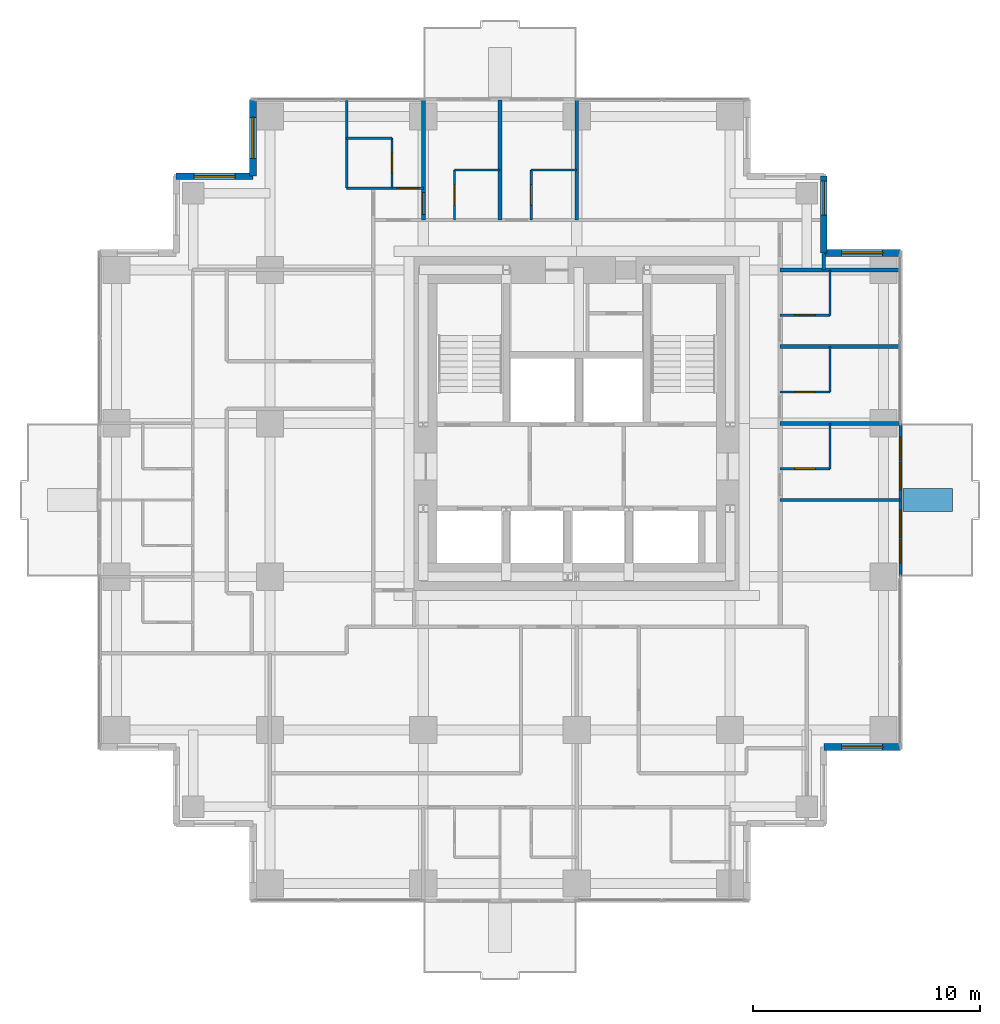
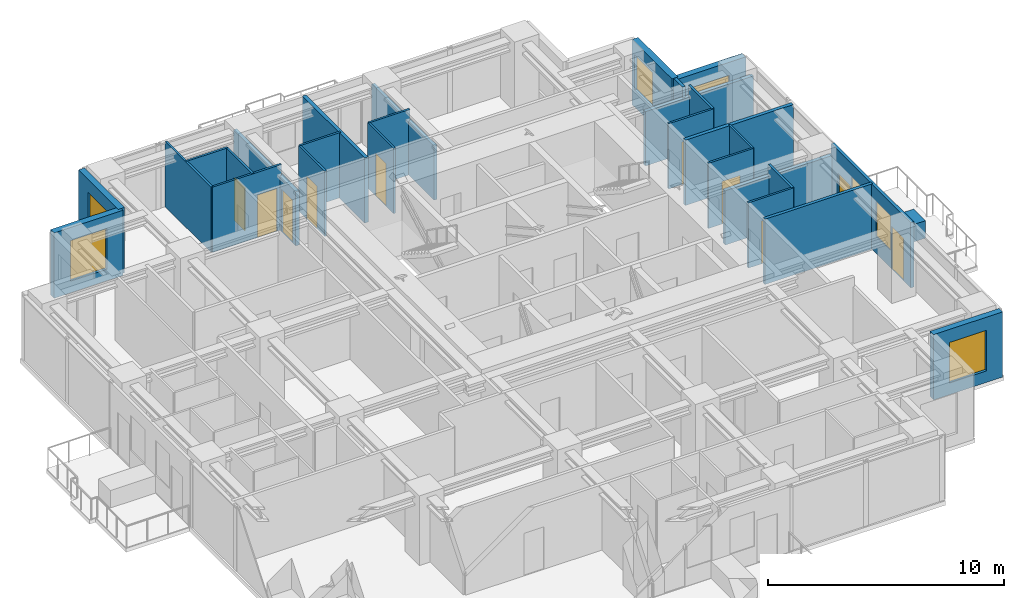
# One storey, part 8 of 10: 29 walls, 10 doors, 7 windows, 17 openings.
"""IFC4 building model written with IfcOpenShell, lengths in metres."""

from ifc_helpers import new_model, si_unit, direction, frame, frame_2d, origin, place, context, subcontext, project, spatial, rectangle, extrude, material, layer, layer_set, type_object, element, fill, save


model = new_model("IFC4")

# Units and contexts
model_context = context("Model", 3, precision=1e-05, world=origin(), true_north=direction((0.0, 1.0)))
body_context = subcontext(model_context, "Body", "Model", "MODEL_VIEW")
ifc_project = project(units=[si_unit("LENGTHUNIT", "METRE"), si_unit("AREAUNIT", "SQUARE_METRE"), si_unit("VOLUMEUNIT", "CUBIC_METRE"), si_unit("PLANEANGLEUNIT", "RADIAN"), si_unit("MASSUNIT", "GRAM", prefix="KILO")], contexts=[model_context])

# Site, building, storey
site_placement = place(None, origin())
site = spatial("IfcSite", under=ifc_project, at=site_placement, CompositionType="ELEMENT")
building_placement = place(site_placement, origin())
building = spatial("IfcBuilding", under=site, at=building_placement, Name="Nyansa Garden Tower", CompositionType="ELEMENT")
storey_placement = place(building_placement, frame((0.0, 0.0, 192.60009765625)))
storey = spatial("IfcBuildingStorey", under=building, at=storey_placement, Name="L52", CompositionType="ELEMENT", Elevation=192.60009765625)

# Wall, opening, door
ifc_material_1 = material(Name="Dense blockwork, plastered both sides, 55 dB", Category="masonry")
ifc_layer_1 = layer(ifc_material_1, 0.175048828125)
ifc_layer_set_1 = layer_set([ifc_layer_1], Name="Acoustic party wall PW175")
wall_type_1 = type_object("IfcWallType", Name="Acoustic party wall PW175", PredefinedType="PARTITIONING", material=ifc_layer_set_1)
wall_1_placement = place(storey_placement, frame((13.5, 29.199951171875, 0.0), z_axis=(0.0, 0.0, 1.0), x_axis=(0.0, 1.0, 0.0)))
wall_1 = element("IfcWall", 1, at=wall_1_placement, inside=storey, type_object=wall_type_1, Name="Party wall", PredefinedType="PARTITIONING", context=body_context, shape_type="SweptSolid", body=[
    extrude(rectangle(XDim=5.283935546875, YDim=0.175048828125, at=frame_2d((2.64208984375, 0.0))), origin(), (0.0, 0.0, 1.0), 2.805908203125),
])
opening_1_placement = place(wall_1_placement, frame((0.25, 0.0, 0.0)))
opening_1 = element("IfcOpeningElement", 2, at=opening_1_placement, cuts=wall_1, Name="Opening D14", PredefinedType="OPENING", context=body_context, shape_type="SweptSolid", body=[
    extrude(rectangle(XDim=0.949951171875, YDim=2.199951171875, at=frame_2d((0.47509765625, 1.10009765625))), frame((0.0, 0.097412109375, 0.0), z_axis=(0.0, -1.0, 0.0), x_axis=(1.0, 0.0, 0.0)), (0.0, 0.0, 1.0), 0.195068359375),
])
ifc_material_2 = material(Name="Timber flush door, 60 minute fire resisting, self-closing", Category="wood")
door_type_1 = type_object("IfcDoorType", Name="Studio entrance door D14 950x2200", OperationType="SINGLE_SWING_LEFT", PredefinedType="DOOR", material=ifc_material_2)
door_1_placement = place(opening_1_placement, origin())
door_1 = element("IfcDoor", 3, at=door_1_placement, inside=storey, type_object=door_type_1, Name="Door L52-040", OperationType="SINGLE_SWING_LEFT", OverallHeight=2.199951171875, OverallWidth=0.949951171875, PredefinedType="DOOR", context=body_context, shape_type="SweptSolid", body=[
    extrude(rectangle(XDim=0.949951171875, YDim=2.199951171875, at=frame_2d((0.47509765625, 1.10009765625))), frame((0.0, 0.02490234375, 0.0), z_axis=(0.0, -1.0, 0.0), x_axis=(1.0, 0.0, 0.0)), (0.0, 0.0, 1.0), 0.050048828125),
])
fill(opening_1, door_1)

# Walls
wall_2_placement = place(storey_placement, frame((16.875, 29.199951171875, 0.0), z_axis=(0.0, 0.0, 1.0), x_axis=(0.0, 1.0, 0.0)))
element("IfcWall", 4, at=wall_2_placement, inside=storey, type_object=wall_type_1, Name="Party wall", PredefinedType="PARTITIONING", context=body_context, shape_type="SweptSolid", body=[
    extrude(rectangle(XDim=5.283935546875, YDim=0.175048828125, at=frame_2d((2.64208984375, 0.0))), origin(), (0.0, 0.0, 1.0), 3.375),
])
wall_3_placement = place(storey_placement, frame((29.199951171875, 20.25, 0.0), z_axis=(0.0, 0.0, 1.0), x_axis=(1.0, 0.0, 0.0)))
element("IfcWall", 5, at=wall_3_placement, inside=storey, type_object=wall_type_1, Name="Party wall", PredefinedType="PARTITIONING", context=body_context, shape_type="SweptSolid", body=[
    extrude(rectangle(XDim=5.283935546875, YDim=0.175048828125, at=frame_2d((2.64208984375, 0.0))), origin(), (0.0, 0.0, 1.0), 2.805908203125),
])
wall_4_placement = place(storey_placement, frame((29.199951171875, 23.625, 0.0), z_axis=(0.0, 0.0, 1.0), x_axis=(1.0, 0.0, 0.0)))
element("IfcWall", 6, at=wall_4_placement, inside=storey, type_object=wall_type_1, Name="Party wall", PredefinedType="PARTITIONING", context=body_context, shape_type="SweptSolid", body=[
    extrude(rectangle(XDim=5.283935546875, YDim=0.175048828125, at=frame_2d((2.64208984375, 0.0))), origin(), (0.0, 0.0, 1.0), 3.375),
])
wall_5_placement = place(storey_placement, frame((29.199951171875, 27.0, 0.0), z_axis=(0.0, 0.0, 1.0), x_axis=(1.0, 0.0, 0.0)))
element("IfcWall", 7, at=wall_5_placement, inside=storey, type_object=wall_type_1, Name="Party wall", PredefinedType="PARTITIONING", context=body_context, shape_type="SweptSolid", body=[
    extrude(rectangle(XDim=5.283935546875, YDim=0.175048828125, at=frame_2d((2.64208984375, 0.0))), origin(), (0.0, 0.0, 1.0), 2.805908203125),
])

# Wall, openings, doors, windows
ifc_material_3 = material(Name="Black aluminium framed glazed screen", Category="aluminium")
ifc_layer_2 = layer(ifc_material_3, 0.14990234375)
ifc_layer_set_2 = layer_set([ifc_layer_2], Name="Balcony screen wall BW150")
wall_type_2 = type_object("IfcWallType", Name="Balcony screen wall BW150", PredefinedType="SOLIDWALL", material=ifc_layer_set_2)
wall_6_placement = place(storey_placement, frame((34.5, 20.25, 0.0), z_axis=(0.0, 0.0, 1.0), x_axis=(0.0, -1.0, 0.0)))
wall_6 = element("IfcWall", 8, at=wall_6_placement, inside=storey, type_object=wall_type_2, Name="Glazed screen wall L52 E", PredefinedType="SOLIDWALL", context=body_context, shape_type="SweptSolid", body=[
    extrude(rectangle(XDim=6.75, YDim=0.14990234375, at=frame_2d((3.375, 0.0))), origin(), (0.0, 0.0, 1.0), 3.375),
])
opening_2_placement = place(wall_6_placement, frame((0.612548828125, 0.0, 0.0)))
opening_2 = element("IfcOpeningElement", 9, at=opening_2_placement, cuts=wall_6, Name="Opening D20", PredefinedType="OPENING", context=body_context, shape_type="SweptSolid", body=[
    extrude(rectangle(XDim=1.0, YDim=2.199951171875, at=frame_2d((0.5, 1.10009765625))), frame((0.0, 0.0849609375, 0.0), z_axis=(0.0, -1.0, 0.0), x_axis=(1.0, 0.0, 0.0)), (0.0, 0.0, 1.0), 0.169921875),
])
opening_3_placement = place(wall_6_placement, frame((1.72509765625, 0.0, 0.89990234375)))
opening_3 = element("IfcOpeningElement", 10, at=opening_3_placement, cuts=wall_6, Name="Opening W6", PredefinedType="OPENING", context=body_context, shape_type="SweptSolid", body=[
    extrude(rectangle(XDim=1.199951171875, YDim=1.800048828125, at=frame_2d((0.60009765625, 0.89990234375))), frame((0.0, 0.0849609375, 0.0), z_axis=(0.0, -1.0, 0.0), x_axis=(1.0, 0.0, 0.0)), (0.0, 0.0, 1.0), 0.169921875),
])
opening_4_placement = place(wall_6_placement, frame((5.137451171875, 0.0, 0.0)))
opening_4 = element("IfcOpeningElement", 11, at=opening_4_placement, cuts=wall_6, Name="Opening D20", PredefinedType="OPENING", context=body_context, shape_type="SweptSolid", body=[
    extrude(rectangle(XDim=1.0, YDim=2.199951171875, at=frame_2d((0.5, 1.10009765625))), frame((0.0, 0.0849609375, 0.0), z_axis=(0.0, -1.0, 0.0), x_axis=(1.0, 0.0, 0.0)), (0.0, 0.0, 1.0), 0.169921875),
])
opening_5_placement = place(wall_6_placement, frame((3.824951171875, 0.0, 0.89990234375)))
opening_5 = element("IfcOpeningElement", 12, at=opening_5_placement, cuts=wall_6, Name="Opening W6", PredefinedType="OPENING", context=body_context, shape_type="SweptSolid", body=[
    extrude(rectangle(XDim=1.199951171875, YDim=1.800048828125, at=frame_2d((0.60009765625, 0.89990234375))), frame((0.0, 0.0849609375, 0.0), z_axis=(0.0, -1.0, 0.0), x_axis=(1.0, 0.0, 0.0)), (0.0, 0.0, 1.0), 0.169921875),
])
ifc_material_4 = material(Name="Black aluminium framed glazed door", Category="aluminium")
door_type_2 = type_object("IfcDoorType", Name="Balcony door D20 1000x2200", OperationType="NOTDEFINED", PredefinedType="DOOR", material=ifc_material_4)
door_2_placement = place(opening_2_placement, origin())
door_2 = element("IfcDoor", 13, at=door_2_placement, inside=storey, type_object=door_type_2, Name="Balcony door L52", OperationType="SINGLE_SWING_LEFT", OverallHeight=2.199951171875, OverallWidth=1.0, PredefinedType="DOOR", context=body_context, shape_type="SweptSolid", body=[
    extrude(rectangle(XDim=1.0, YDim=2.199951171875, at=frame_2d((0.5, 1.10009765625))), frame((0.0, 0.02490234375, 0.0), z_axis=(0.0, -1.0, 0.0), x_axis=(1.0, 0.0, 0.0)), (0.0, 0.0, 1.0), 0.050048828125),
])
fill(opening_2, door_2)
door_3_placement = place(opening_4_placement, origin())
door_3 = element("IfcDoor", 14, at=door_3_placement, inside=storey, type_object=door_type_2, Name="Balcony door L52", OperationType="SINGLE_SWING_RIGHT", OverallHeight=2.199951171875, OverallWidth=1.0, PredefinedType="DOOR", context=body_context, shape_type="SweptSolid", body=[
    extrude(rectangle(XDim=1.0, YDim=2.199951171875, at=frame_2d((0.5, 1.10009765625))), frame((0.0, 0.02490234375, 0.0), z_axis=(0.0, -1.0, 0.0), x_axis=(1.0, 0.0, 0.0)), (0.0, 0.0, 1.0), 0.050048828125),
])
fill(opening_4, door_3)
ifc_material_5 = material(Name="Black aluminium frame, dark tinted double glazing", Category="aluminium")
window_type_1 = type_object("IfcWindowType", Name="Balcony window W6 1200x1800", PartitioningType="SINGLE_PANEL", PredefinedType="WINDOW", material=ifc_material_5)
window_1_placement = place(opening_3_placement, origin())
window_1 = element("IfcWindow", 15, at=window_1_placement, inside=storey, type_object=window_type_1, Name="Window L52", OverallHeight=1.800048828125, OverallWidth=1.199951171875, PartitioningType="SINGLE_PANEL", PredefinedType="WINDOW", context=body_context, shape_type="SweptSolid", body=[
    extrude(rectangle(XDim=1.199951171875, YDim=1.800048828125, at=frame_2d((0.60009765625, 0.89990234375))), frame((0.0, 0.030029296875, 0.0), z_axis=(0.0, -1.0, 0.0), x_axis=(1.0, 0.0, 0.0)), (0.0, 0.0, 1.0), 0.06005859375),
])
fill(opening_3, window_1)
window_2_placement = place(opening_5_placement, origin())
window_2 = element("IfcWindow", 16, at=window_2_placement, inside=storey, type_object=window_type_1, Name="Window L52", OverallHeight=1.800048828125, OverallWidth=1.199951171875, PartitioningType="SINGLE_PANEL", PredefinedType="WINDOW", context=body_context, shape_type="SweptSolid", body=[
    extrude(rectangle(XDim=1.199951171875, YDim=1.800048828125, at=frame_2d((0.60009765625, 0.89990234375))), frame((0.0, 0.030029296875, 0.0), z_axis=(0.0, -1.0, 0.0), x_axis=(1.0, 0.0, 0.0)), (0.0, 0.0, 1.0), 0.06005859375),
])
fill(opening_5, window_2)

# Walls
ifc_material_6 = material(Name="Blockwork, plastered both sides", Category="masonry")
ifc_layer_3 = layer(ifc_material_6, 0.14990234375)
ifc_layer_set_3 = layer_set([ifc_layer_3], Name="Partition PW150")
wall_type_3 = type_object("IfcWallType", Name="Partition PW150", PredefinedType="PARTITIONING", material=ifc_layer_set_3)
wall_7_placement = place(storey_placement, frame((20.25, 29.199951171875, 0.0), z_axis=(0.0, 0.0, 1.0), x_axis=(0.0, 1.0, 0.0)))
element("IfcWall", 17, at=wall_7_placement, inside=storey, type_object=wall_type_3, Name="Partition", PredefinedType="PARTITIONING", context=body_context, shape_type="SweptSolid", body=[
    extrude(rectangle(XDim=5.283935546875, YDim=0.14990234375, at=frame_2d((2.64208984375, 0.0))), origin(), (0.0, 0.0, 1.0), 2.805908203125),
])
wall_8_placement = place(storey_placement, frame((29.199951171875, 16.875, 0.0), z_axis=(0.0, 0.0, 1.0), x_axis=(1.0, 0.0, 0.0)))
element("IfcWall", 18, at=wall_8_placement, inside=storey, type_object=wall_type_3, Name="Partition", PredefinedType="PARTITIONING", context=body_context, shape_type="SweptSolid", body=[
    extrude(rectangle(XDim=5.283935546875, YDim=0.14990234375, at=frame_2d((2.64208984375, 0.0))), origin(), (0.0, 0.0, 1.0), 3.375),
])
wall_9_placement = place(storey_placement, frame((31.125, 27.0, 0.0), z_axis=(0.0, 0.0, 1.0), x_axis=(0.0, 1.0, 0.0)))
element("IfcWall", 19, at=wall_9_placement, inside=storey, type_object=wall_type_3, Name="Partition", PredefinedType="PARTITIONING", context=body_context, shape_type="SweptSolid", body=[
    extrude(rectangle(XDim=0.73388671875, YDim=0.14990234375, at=frame_2d((0.366943359375, 0.0))), origin(), (0.0, 0.0, 1.0), 3.375),
])

# Wall, opening, window
ifc_material_7 = material(Name="Turquoise glazed tile on concrete blockwork", Category="masonry")
ifc_layer_4 = layer(ifc_material_7, 0.300048828125)
ifc_layer_set_4 = layer_set([ifc_layer_4], Name="Tiled corner wall TW300")
wall_type_4 = type_object("IfcWallType", Name="Tiled corner wall TW300", PredefinedType="SOLIDWALL", material=ifc_layer_set_4)
wall_10_placement = place(storey_placement, frame((34.5, 27.75, 0.0), z_axis=(0.0, 0.0, 1.0), x_axis=(-1.0, 0.0, 0.0)))
wall_10 = element("IfcWall", 20, at=wall_10_placement, inside=storey, type_object=wall_type_4, Name="Tiled corner wall L52", PredefinedType="SOLIDWALL", context=body_context, shape_type="SweptSolid", body=[
    extrude(rectangle(XDim=3.375, YDim=0.300048828125, at=frame_2d((1.6875, 0.0))), origin(), (0.0, 0.0, 1.0), 3.375),
])
opening_6_placement = place(wall_10_placement, frame((0.78759765625, 0.0, 0.60009765625)))
opening_6 = element("IfcOpeningElement", 21, at=opening_6_placement, cuts=wall_10, Name="Opening W2", PredefinedType="OPENING", context=body_context, shape_type="SweptSolid", body=[
    extrude(rectangle(XDim=1.800048828125, YDim=2.10009765625, at=frame_2d((0.89990234375, 1.050048828125))), frame((0.0, 0.159912109375, 0.0), z_axis=(0.0, -1.0, 0.0), x_axis=(1.0, 0.0, 0.0)), (0.0, 0.0, 1.0), 0.320068359375),
])
ifc_material_8 = material(Name="Black aluminium frame, dark tinted double glazing", Category="aluminium")
window_type_2 = type_object("IfcWindowType", Name="Window W2 1800x2100", PartitioningType="SINGLE_PANEL", PredefinedType="WINDOW", material=ifc_material_8)
window_3_placement = place(opening_6_placement, origin())
window_3 = element("IfcWindow", 22, at=window_3_placement, inside=storey, type_object=window_type_2, Name="Corner window L52", OverallHeight=2.10009765625, OverallWidth=1.800048828125, PartitioningType="SINGLE_PANEL", PredefinedType="WINDOW", context=body_context, shape_type="SweptSolid", body=[
    extrude(rectangle(XDim=1.800048828125, YDim=2.10009765625, at=frame_2d((0.89990234375, 1.050048828125))), frame((0.0, 0.030029296875, 0.0), z_axis=(0.0, -1.0, 0.0), x_axis=(1.0, 0.0, 0.0)), (0.0, 0.0, 1.0), 0.06005859375),
])
fill(opening_6, window_3)

wall_11_placement = place(storey_placement, frame((31.125, 27.75, 0.0), z_axis=(0.0, 0.0, 1.0), x_axis=(0.0, 1.0, 0.0)))
wall_11 = element("IfcWall", 23, at=wall_11_placement, inside=storey, type_object=wall_type_4, Name="Tiled corner wall L52", PredefinedType="SOLIDWALL", context=body_context, shape_type="SweptSolid", body=[
    extrude(rectangle(XDim=3.375, YDim=0.300048828125, at=frame_2d((1.6875, 0.0))), origin(), (0.0, 0.0, 1.0), 3.375),
])
opening_7_placement = place(wall_11_placement, frame((1.66259765625, 0.0, 0.89990234375)))
opening_7 = element("IfcOpeningElement", 24, at=opening_7_placement, cuts=wall_11, Name="Opening W1", PredefinedType="OPENING", context=body_context, shape_type="SweptSolid", body=[
    extrude(rectangle(XDim=1.5, YDim=1.800048828125, at=frame_2d((0.75, 0.89990234375))), frame((0.0, 0.159912109375, 0.0), z_axis=(0.0, -1.0, 0.0), x_axis=(1.0, 0.0, 0.0)), (0.0, 0.0, 1.0), 0.320068359375),
])
ifc_material_9 = material(Name="Black aluminium frame, dark tinted double glazing", Category="aluminium")
window_type_3 = type_object("IfcWindowType", Name="Window W1 1500x1800", PartitioningType="SINGLE_PANEL", PredefinedType="WINDOW", material=ifc_material_9)
window_4_placement = place(opening_7_placement, origin())
window_4 = element("IfcWindow", 25, at=window_4_placement, inside=storey, type_object=window_type_3, Name="Corner window L52", OverallHeight=1.800048828125, OverallWidth=1.5, PartitioningType="SINGLE_PANEL", PredefinedType="WINDOW", context=body_context, shape_type="SweptSolid", body=[
    extrude(rectangle(XDim=1.5, YDim=1.800048828125, at=frame_2d((0.75, 0.89990234375))), frame((0.0, 0.030029296875, 0.0), z_axis=(0.0, -1.0, 0.0), x_axis=(1.0, 0.0, 0.0)), (0.0, 0.0, 1.0), 0.06005859375),
])
fill(opening_7, window_4)

wall_12_placement = place(storey_placement, frame((6.0, 34.5, 0.0), z_axis=(0.0, 0.0, 1.0), x_axis=(0.0, -1.0, 0.0)))
wall_12 = element("IfcWall", 26, at=wall_12_placement, inside=storey, type_object=wall_type_4, Name="Tiled corner wall L52", PredefinedType="SOLIDWALL", context=body_context, shape_type="SweptSolid", body=[
    extrude(rectangle(XDim=3.375, YDim=0.300048828125, at=frame_2d((1.6875, 0.0))), origin(), (0.0, 0.0, 1.0), 3.375),
])
opening_8_placement = place(wall_12_placement, frame((0.78759765625, 0.0, 0.60009765625)))
opening_8 = element("IfcOpeningElement", 27, at=opening_8_placement, cuts=wall_12, Name="Opening W2", PredefinedType="OPENING", context=body_context, shape_type="SweptSolid", body=[
    extrude(rectangle(XDim=1.800048828125, YDim=2.10009765625, at=frame_2d((0.89990234375, 1.050048828125))), frame((0.0, 0.159912109375, 0.0), z_axis=(0.0, -1.0, 0.0), x_axis=(1.0, 0.0, 0.0)), (0.0, 0.0, 1.0), 0.320068359375),
])
window_5_placement = place(opening_8_placement, origin())
window_5 = element("IfcWindow", 28, at=window_5_placement, inside=storey, type_object=window_type_2, Name="Corner window L52", OverallHeight=2.10009765625, OverallWidth=1.800048828125, PartitioningType="SINGLE_PANEL", PredefinedType="WINDOW", context=body_context, shape_type="SweptSolid", body=[
    extrude(rectangle(XDim=1.800048828125, YDim=2.10009765625, at=frame_2d((0.89990234375, 1.050048828125))), frame((0.0, 0.030029296875, 0.0), z_axis=(0.0, -1.0, 0.0), x_axis=(1.0, 0.0, 0.0)), (0.0, 0.0, 1.0), 0.06005859375),
])
fill(opening_8, window_5)

wall_13_placement = place(storey_placement, frame((6.0, 31.125, 0.0), z_axis=(0.0, 0.0, 1.0), x_axis=(-1.0, 0.0, 0.0)))
wall_13 = element("IfcWall", 29, at=wall_13_placement, inside=storey, type_object=wall_type_4, Name="Tiled corner wall L52", PredefinedType="SOLIDWALL", context=body_context, shape_type="SweptSolid", body=[
    extrude(rectangle(XDim=3.375, YDim=0.300048828125, at=frame_2d((1.6875, 0.0))), origin(), (0.0, 0.0, 1.0), 3.375),
])
opening_9_placement = place(wall_13_placement, frame((0.78759765625, 0.0, 0.60009765625)))
opening_9 = element("IfcOpeningElement", 30, at=opening_9_placement, cuts=wall_13, Name="Opening W2", PredefinedType="OPENING", context=body_context, shape_type="SweptSolid", body=[
    extrude(rectangle(XDim=1.800048828125, YDim=2.10009765625, at=frame_2d((0.89990234375, 1.050048828125))), frame((0.0, 0.159912109375, 0.0), z_axis=(0.0, -1.0, 0.0), x_axis=(1.0, 0.0, 0.0)), (0.0, 0.0, 1.0), 0.320068359375),
])
window_6_placement = place(opening_9_placement, origin())
window_6 = element("IfcWindow", 31, at=window_6_placement, inside=storey, type_object=window_type_2, Name="Corner window L52", OverallHeight=2.10009765625, OverallWidth=1.800048828125, PartitioningType="SINGLE_PANEL", PredefinedType="WINDOW", context=body_context, shape_type="SweptSolid", body=[
    extrude(rectangle(XDim=1.800048828125, YDim=2.10009765625, at=frame_2d((0.89990234375, 1.050048828125))), frame((0.0, 0.030029296875, 0.0), z_axis=(0.0, -1.0, 0.0), x_axis=(1.0, 0.0, 0.0)), (0.0, 0.0, 1.0), 0.06005859375),
])
fill(opening_9, window_6)

wall_14_placement = place(storey_placement, frame((31.125, 6.0, 0.0), z_axis=(0.0, 0.0, 1.0), x_axis=(1.0, 0.0, 0.0)))
wall_14 = element("IfcWall", 32, at=wall_14_placement, inside=storey, type_object=wall_type_4, Name="Tiled corner wall L52", PredefinedType="SOLIDWALL", context=body_context, shape_type="SweptSolid", body=[
    extrude(rectangle(XDim=3.375, YDim=0.300048828125, at=frame_2d((1.6875, 0.0))), origin(), (0.0, 0.0, 1.0), 3.375),
])
opening_10_placement = place(wall_14_placement, frame((0.78759765625, 0.0, 0.60009765625)))
opening_10 = element("IfcOpeningElement", 33, at=opening_10_placement, cuts=wall_14, Name="Opening W2", PredefinedType="OPENING", context=body_context, shape_type="SweptSolid", body=[
    extrude(rectangle(XDim=1.800048828125, YDim=2.10009765625, at=frame_2d((0.89990234375, 1.050048828125))), frame((0.0, 0.159912109375, 0.0), z_axis=(0.0, -1.0, 0.0), x_axis=(1.0, 0.0, 0.0)), (0.0, 0.0, 1.0), 0.320068359375),
])
window_7_placement = place(opening_10_placement, origin())
window_7 = element("IfcWindow", 34, at=window_7_placement, inside=storey, type_object=window_type_2, Name="Corner window L52", OverallHeight=2.10009765625, OverallWidth=1.800048828125, PartitioningType="SINGLE_PANEL", PredefinedType="WINDOW", context=body_context, shape_type="SweptSolid", body=[
    extrude(rectangle(XDim=1.800048828125, YDim=2.10009765625, at=frame_2d((0.89990234375, 1.050048828125))), frame((0.0, 0.030029296875, 0.0), z_axis=(0.0, -1.0, 0.0), x_axis=(1.0, 0.0, 0.0)), (0.0, 0.0, 1.0), 0.06005859375),
])
fill(opening_10, window_7)

# Walls
ifc_material_10 = material(Name="Concrete C40/50 planter, waterproofed", Category="concrete")
ifc_layer_5 = layer(ifc_material_10, 1.0)
ifc_layer_set_5 = layer_set([ifc_layer_5], Name="Tree planter TP1")
wall_type_5 = type_object("IfcWallType", Name="Tree planter TP1", PredefinedType="USERDEFINED", material=ifc_layer_set_5)
wall_15_placement = place(storey_placement, frame((34.60009765625, 16.875, 0.0), z_axis=(0.0, 0.0, 1.0), x_axis=(1.0, 0.0, 0.0)))
element("IfcWall", 35, at=wall_15_placement, inside=storey, type_object=wall_type_5, Name="Tree planter L52", ObjectType="TREE PLANTER", PredefinedType="USERDEFINED", context=body_context, shape_type="SweptSolid", body=[
    extrude(rectangle(XDim=2.199951171875, YDim=1.0, at=frame_2d((1.10009765625, 0.0))), origin(), (0.0, 0.0, 1.0), 0.89990234375),
])
ifc_material_11 = material(Name="Moisture resistant board on steel studs, tiled", Category="steel")
ifc_layer_6 = layer(ifc_material_11, 0.10009765625)
ifc_layer_set_6 = layer_set([ifc_layer_6], Name="Wet wall PW100")
wall_type_6 = type_object("IfcWallType", Name="Wet wall PW100", PredefinedType="PARTITIONING", material=ifc_layer_set_6)
wall_16_placement = place(storey_placement, frame((10.125, 30.60009765625, 0.0), z_axis=(0.0, 0.0, 1.0), x_axis=(0.0, 1.0, 0.0)))
element("IfcWall", 36, at=wall_16_placement, inside=storey, type_object=wall_type_6, Name="Wet wall", PredefinedType="PARTITIONING", context=body_context, shape_type="SweptSolid", body=[
    extrude(rectangle(XDim=3.8837890625, YDim=0.10009765625, at=frame_2d((1.94189453125, 0.0))), origin(), (0.0, 0.0, 1.0), 3.375),
])

# Wall, opening, door
wall_17_placement = place(storey_placement, frame((10.125, 30.60009765625, 0.0), z_axis=(0.0, 0.0, 1.0), x_axis=(1.0, 0.0, 0.0)))
wall_17 = element("IfcWall", 37, at=wall_17_placement, inside=storey, type_object=wall_type_6, Name="Wet wall", PredefinedType="PARTITIONING", context=body_context, shape_type="SweptSolid", body=[
    extrude(rectangle(XDim=3.375, YDim=0.10009765625, at=frame_2d((1.6875, 0.0))), origin(), (0.0, 0.0, 1.0), 3.375),
])
opening_11_placement = place(wall_17_placement, frame((2.199951171875, 0.0, 0.0)))
opening_11 = element("IfcOpeningElement", 38, at=opening_11_placement, cuts=wall_17, Name="Opening D14", PredefinedType="OPENING", context=body_context, shape_type="SweptSolid", body=[
    extrude(rectangle(XDim=0.949951171875, YDim=2.199951171875, at=frame_2d((0.47509765625, 1.10009765625))), frame((0.0, 0.06005859375, 0.0), z_axis=(0.0, -1.0, 0.0), x_axis=(1.0, 0.0, 0.0)), (0.0, 0.0, 1.0), 0.1201171875),
])
door_4_placement = place(opening_11_placement, origin())
door_4 = element("IfcDoor", 39, at=door_4_placement, inside=storey, type_object=door_type_1, Name="Door L52-038", OperationType="SINGLE_SWING_LEFT", OverallHeight=2.199951171875, OverallWidth=0.949951171875, PredefinedType="DOOR", context=body_context, shape_type="SweptSolid", body=[
    extrude(rectangle(XDim=0.949951171875, YDim=2.199951171875, at=frame_2d((0.47509765625, 1.10009765625))), frame((0.0, 0.02490234375, 0.0), z_axis=(0.0, -1.0, 0.0), x_axis=(1.0, 0.0, 0.0)), (0.0, 0.0, 1.0), 0.050048828125),
])
fill(opening_11, door_4)

# Wall
wall_18_placement = place(storey_placement, frame((10.125, 32.800048828125, 0.0), z_axis=(0.0, 0.0, 1.0), x_axis=(1.0, 0.0, 0.0)))
element("IfcWall", 40, at=wall_18_placement, inside=storey, type_object=wall_type_6, Name="Wet wall", PredefinedType="PARTITIONING", context=body_context, shape_type="SweptSolid", body=[
    extrude(rectangle(XDim=2.0, YDim=0.10009765625, at=frame_2d((1.0, 0.0))), origin(), (0.0, 0.0, 1.0), 3.375),
])

# Wall, opening, door
wall_19_placement = place(storey_placement, frame((12.125, 30.60009765625, 0.0), z_axis=(0.0, 0.0, 1.0), x_axis=(0.0, 1.0, 0.0)))
wall_19 = element("IfcWall", 41, at=wall_19_placement, inside=storey, type_object=wall_type_6, Name="Wet wall", PredefinedType="PARTITIONING", context=body_context, shape_type="SweptSolid", body=[
    extrude(rectangle(XDim=2.199951171875, YDim=0.10009765625, at=frame_2d((1.10009765625, 0.0))), origin(), (0.0, 0.0, 1.0), 3.375),
])
opening_12_placement = place(wall_19_placement, frame((0.64990234375, 0.0, 0.0)))
opening_12 = element("IfcOpeningElement", 42, at=opening_12_placement, cuts=wall_19, Name="Opening D02", PredefinedType="OPENING", context=body_context, shape_type="SweptSolid", body=[
    extrude(rectangle(XDim=0.89990234375, YDim=2.199951171875, at=frame_2d((0.449951171875, 1.10009765625))), frame((0.0, 0.06005859375, 0.0), z_axis=(0.0, -1.0, 0.0), x_axis=(1.0, 0.0, 0.0)), (0.0, 0.0, 1.0), 0.1201171875),
])
ifc_material_12 = material(Name="Timber flush door", Category="wood")
door_type_3 = type_object("IfcDoorType", Name="En-suite door D02 900x2200", OperationType="SINGLE_SWING_RIGHT", PredefinedType="DOOR", material=ifc_material_12)
door_5_placement = place(opening_12_placement, origin())
door_5 = element("IfcDoor", 43, at=door_5_placement, inside=storey, type_object=door_type_3, Name="Door L52-039", OperationType="SINGLE_SWING_RIGHT", OverallHeight=2.199951171875, OverallWidth=0.89990234375, PredefinedType="DOOR", context=body_context, shape_type="SweptSolid", body=[
    extrude(rectangle(XDim=0.89990234375, YDim=2.199951171875, at=frame_2d((0.449951171875, 1.10009765625))), frame((0.0, 0.02490234375, 0.0), z_axis=(0.0, -1.0, 0.0), x_axis=(1.0, 0.0, 0.0)), (0.0, 0.0, 1.0), 0.050048828125),
])
fill(opening_12, door_5)

wall_20_placement = place(storey_placement, frame((14.875, 29.199951171875, 0.0), z_axis=(0.0, 0.0, 1.0), x_axis=(0.0, 1.0, 0.0)))
wall_20 = element("IfcWall", 44, at=wall_20_placement, inside=storey, type_object=wall_type_6, Name="Wet wall", PredefinedType="PARTITIONING", context=body_context, shape_type="SweptSolid", body=[
    extrude(rectangle(XDim=2.199951171875, YDim=0.10009765625, at=frame_2d((1.10009765625, 0.0))), origin(), (0.0, 0.0, 1.0), 3.375),
])
opening_13_placement = place(wall_20_placement, frame((0.64990234375, 0.0, 0.0)))
opening_13 = element("IfcOpeningElement", 45, at=opening_13_placement, cuts=wall_20, Name="Opening D02", PredefinedType="OPENING", context=body_context, shape_type="SweptSolid", body=[
    extrude(rectangle(XDim=0.89990234375, YDim=2.199951171875, at=frame_2d((0.449951171875, 1.10009765625))), frame((0.0, 0.06005859375, 0.0), z_axis=(0.0, -1.0, 0.0), x_axis=(1.0, 0.0, 0.0)), (0.0, 0.0, 1.0), 0.1201171875),
])
door_6_placement = place(opening_13_placement, origin())
door_6 = element("IfcDoor", 46, at=door_6_placement, inside=storey, type_object=door_type_3, Name="Door L52-041", OperationType="SINGLE_SWING_RIGHT", OverallHeight=2.199951171875, OverallWidth=0.89990234375, PredefinedType="DOOR", context=body_context, shape_type="SweptSolid", body=[
    extrude(rectangle(XDim=0.89990234375, YDim=2.199951171875, at=frame_2d((0.449951171875, 1.10009765625))), frame((0.0, 0.02490234375, 0.0), z_axis=(0.0, -1.0, 0.0), x_axis=(1.0, 0.0, 0.0)), (0.0, 0.0, 1.0), 0.050048828125),
])
fill(opening_13, door_6)

# Wall
wall_21_placement = place(storey_placement, frame((14.875, 31.39990234375, 0.0), z_axis=(0.0, 0.0, 1.0), x_axis=(1.0, 0.0, 0.0)))
element("IfcWall", 47, at=wall_21_placement, inside=storey, type_object=wall_type_6, Name="Wet wall", PredefinedType="PARTITIONING", context=body_context, shape_type="SweptSolid", body=[
    extrude(rectangle(XDim=2.0, YDim=0.10009765625, at=frame_2d((1.0, 0.0))), origin(), (0.0, 0.0, 1.0), 3.375),
])

# Wall, opening, door
wall_22_placement = place(storey_placement, frame((18.25, 29.199951171875, 0.0), z_axis=(0.0, 0.0, 1.0), x_axis=(0.0, 1.0, 0.0)))
wall_22 = element("IfcWall", 48, at=wall_22_placement, inside=storey, type_object=wall_type_6, Name="Wet wall", PredefinedType="PARTITIONING", context=body_context, shape_type="SweptSolid", body=[
    extrude(rectangle(XDim=2.199951171875, YDim=0.10009765625, at=frame_2d((1.10009765625, 0.0))), origin(), (0.0, 0.0, 1.0), 3.375),
])
opening_14_placement = place(wall_22_placement, frame((0.64990234375, 0.0, 0.0)))
opening_14 = element("IfcOpeningElement", 49, at=opening_14_placement, cuts=wall_22, Name="Opening D02", PredefinedType="OPENING", context=body_context, shape_type="SweptSolid", body=[
    extrude(rectangle(XDim=0.89990234375, YDim=2.199951171875, at=frame_2d((0.449951171875, 1.10009765625))), frame((0.0, 0.06005859375, 0.0), z_axis=(0.0, -1.0, 0.0), x_axis=(1.0, 0.0, 0.0)), (0.0, 0.0, 1.0), 0.1201171875),
])
door_7_placement = place(opening_14_placement, origin())
door_7 = element("IfcDoor", 50, at=door_7_placement, inside=storey, type_object=door_type_3, Name="Door L52-043", OperationType="SINGLE_SWING_RIGHT", OverallHeight=2.199951171875, OverallWidth=0.89990234375, PredefinedType="DOOR", context=body_context, shape_type="SweptSolid", body=[
    extrude(rectangle(XDim=0.89990234375, YDim=2.199951171875, at=frame_2d((0.449951171875, 1.10009765625))), frame((0.0, 0.02490234375, 0.0), z_axis=(0.0, -1.0, 0.0), x_axis=(1.0, 0.0, 0.0)), (0.0, 0.0, 1.0), 0.050048828125),
])
fill(opening_14, door_7)

# Wall
wall_23_placement = place(storey_placement, frame((18.25, 31.39990234375, 0.0), z_axis=(0.0, 0.0, 1.0), x_axis=(1.0, 0.0, 0.0)))
element("IfcWall", 51, at=wall_23_placement, inside=storey, type_object=wall_type_6, Name="Wet wall", PredefinedType="PARTITIONING", context=body_context, shape_type="SweptSolid", body=[
    extrude(rectangle(XDim=2.0, YDim=0.10009765625, at=frame_2d((1.0, 0.0))), origin(), (0.0, 0.0, 1.0), 3.375),
])

# Wall, opening, door
wall_24_placement = place(storey_placement, frame((29.199951171875, 18.25, 0.0), z_axis=(0.0, 0.0, 1.0), x_axis=(1.0, 0.0, 0.0)))
wall_24 = element("IfcWall", 52, at=wall_24_placement, inside=storey, type_object=wall_type_6, Name="Wet wall", PredefinedType="PARTITIONING", context=body_context, shape_type="SweptSolid", body=[
    extrude(rectangle(XDim=2.199951171875, YDim=0.10009765625, at=frame_2d((1.10009765625, 0.0))), origin(), (0.0, 0.0, 1.0), 3.375),
])
opening_15_placement = place(wall_24_placement, frame((0.64990234375, 0.0, 0.0)))
opening_15 = element("IfcOpeningElement", 53, at=opening_15_placement, cuts=wall_24, Name="Opening D02", PredefinedType="OPENING", context=body_context, shape_type="SweptSolid", body=[
    extrude(rectangle(XDim=0.89990234375, YDim=2.199951171875, at=frame_2d((0.449951171875, 1.10009765625))), frame((0.0, 0.06005859375, 0.0), z_axis=(0.0, -1.0, 0.0), x_axis=(1.0, 0.0, 0.0)), (0.0, 0.0, 1.0), 0.1201171875),
])
door_8_placement = place(opening_15_placement, origin())
door_8 = element("IfcDoor", 54, at=door_8_placement, inside=storey, type_object=door_type_3, Name="Door L52-031", OperationType="SINGLE_SWING_RIGHT", OverallHeight=2.199951171875, OverallWidth=0.89990234375, PredefinedType="DOOR", context=body_context, shape_type="SweptSolid", body=[
    extrude(rectangle(XDim=0.89990234375, YDim=2.199951171875, at=frame_2d((0.449951171875, 1.10009765625))), frame((0.0, 0.02490234375, 0.0), z_axis=(0.0, -1.0, 0.0), x_axis=(1.0, 0.0, 0.0)), (0.0, 0.0, 1.0), 0.050048828125),
])
fill(opening_15, door_8)

wall_25_placement = place(storey_placement, frame((29.199951171875, 21.625, 0.0), z_axis=(0.0, 0.0, 1.0), x_axis=(1.0, 0.0, 0.0)))
wall_25 = element("IfcWall", 55, at=wall_25_placement, inside=storey, type_object=wall_type_6, Name="Wet wall", PredefinedType="PARTITIONING", context=body_context, shape_type="SweptSolid", body=[
    extrude(rectangle(XDim=2.199951171875, YDim=0.10009765625, at=frame_2d((1.10009765625, 0.0))), origin(), (0.0, 0.0, 1.0), 3.375),
])
opening_16_placement = place(wall_25_placement, frame((0.64990234375, 0.0, 0.0)))
opening_16 = element("IfcOpeningElement", 56, at=opening_16_placement, cuts=wall_25, Name="Opening D02", PredefinedType="OPENING", context=body_context, shape_type="SweptSolid", body=[
    extrude(rectangle(XDim=0.89990234375, YDim=2.199951171875, at=frame_2d((0.449951171875, 1.10009765625))), frame((0.0, 0.06005859375, 0.0), z_axis=(0.0, -1.0, 0.0), x_axis=(1.0, 0.0, 0.0)), (0.0, 0.0, 1.0), 0.1201171875),
])
door_9_placement = place(opening_16_placement, origin())
door_9 = element("IfcDoor", 57, at=door_9_placement, inside=storey, type_object=door_type_3, Name="Door L52-033", OperationType="SINGLE_SWING_RIGHT", OverallHeight=2.199951171875, OverallWidth=0.89990234375, PredefinedType="DOOR", context=body_context, shape_type="SweptSolid", body=[
    extrude(rectangle(XDim=0.89990234375, YDim=2.199951171875, at=frame_2d((0.449951171875, 1.10009765625))), frame((0.0, 0.02490234375, 0.0), z_axis=(0.0, -1.0, 0.0), x_axis=(1.0, 0.0, 0.0)), (0.0, 0.0, 1.0), 0.050048828125),
])
fill(opening_16, door_9)

wall_26_placement = place(storey_placement, frame((29.199951171875, 25.0, 0.0), z_axis=(0.0, 0.0, 1.0), x_axis=(1.0, 0.0, 0.0)))
wall_26 = element("IfcWall", 58, at=wall_26_placement, inside=storey, type_object=wall_type_6, Name="Wet wall", PredefinedType="PARTITIONING", context=body_context, shape_type="SweptSolid", body=[
    extrude(rectangle(XDim=2.199951171875, YDim=0.10009765625, at=frame_2d((1.10009765625, 0.0))), origin(), (0.0, 0.0, 1.0), 3.375),
])
opening_17_placement = place(wall_26_placement, frame((0.64990234375, 0.0, 0.0)))
opening_17 = element("IfcOpeningElement", 59, at=opening_17_placement, cuts=wall_26, Name="Opening D02", PredefinedType="OPENING", context=body_context, shape_type="SweptSolid", body=[
    extrude(rectangle(XDim=0.89990234375, YDim=2.199951171875, at=frame_2d((0.449951171875, 1.10009765625))), frame((0.0, 0.06005859375, 0.0), z_axis=(0.0, -1.0, 0.0), x_axis=(1.0, 0.0, 0.0)), (0.0, 0.0, 1.0), 0.1201171875),
])
door_10_placement = place(opening_17_placement, origin())
door_10 = element("IfcDoor", 60, at=door_10_placement, inside=storey, type_object=door_type_3, Name="Door L52-035", OperationType="SINGLE_SWING_RIGHT", OverallHeight=2.199951171875, OverallWidth=0.89990234375, PredefinedType="DOOR", context=body_context, shape_type="SweptSolid", body=[
    extrude(rectangle(XDim=0.89990234375, YDim=2.199951171875, at=frame_2d((0.449951171875, 1.10009765625))), frame((0.0, 0.02490234375, 0.0), z_axis=(0.0, -1.0, 0.0), x_axis=(1.0, 0.0, 0.0)), (0.0, 0.0, 1.0), 0.050048828125),
])
fill(opening_17, door_10)

# Walls
for number, where, z_axis, x_axis, name in (
    (61, (31.39990234375, 18.25, 0.0), (0.0, 0.0, 1.0), (0.0, 1.0, 0.0), "Wet wall"),
    (62, (31.39990234375, 21.625, 0.0), (0.0, 0.0, 1.0), (0.0, 1.0, 0.0), "Wet wall"),
    (63, (31.39990234375, 25.0, 0.0), (0.0, 0.0, 1.0), (0.0, 1.0, 0.0), "Wet wall"),
):
    element("IfcWall", number, at=place(storey_placement, frame(where, z_axis=z_axis, x_axis=x_axis)), inside=storey, type_object=wall_type_6, Name=name, PredefinedType="PARTITIONING", context=body_context, shape_type="SweptSolid", body=[
        extrude(rectangle(XDim=2.0, YDim=0.10009765625, at=frame_2d((1.0, 0.0))), origin(), (0.0, 0.0, 1.0), 3.375),
    ])

save(model, "model.ifc")
